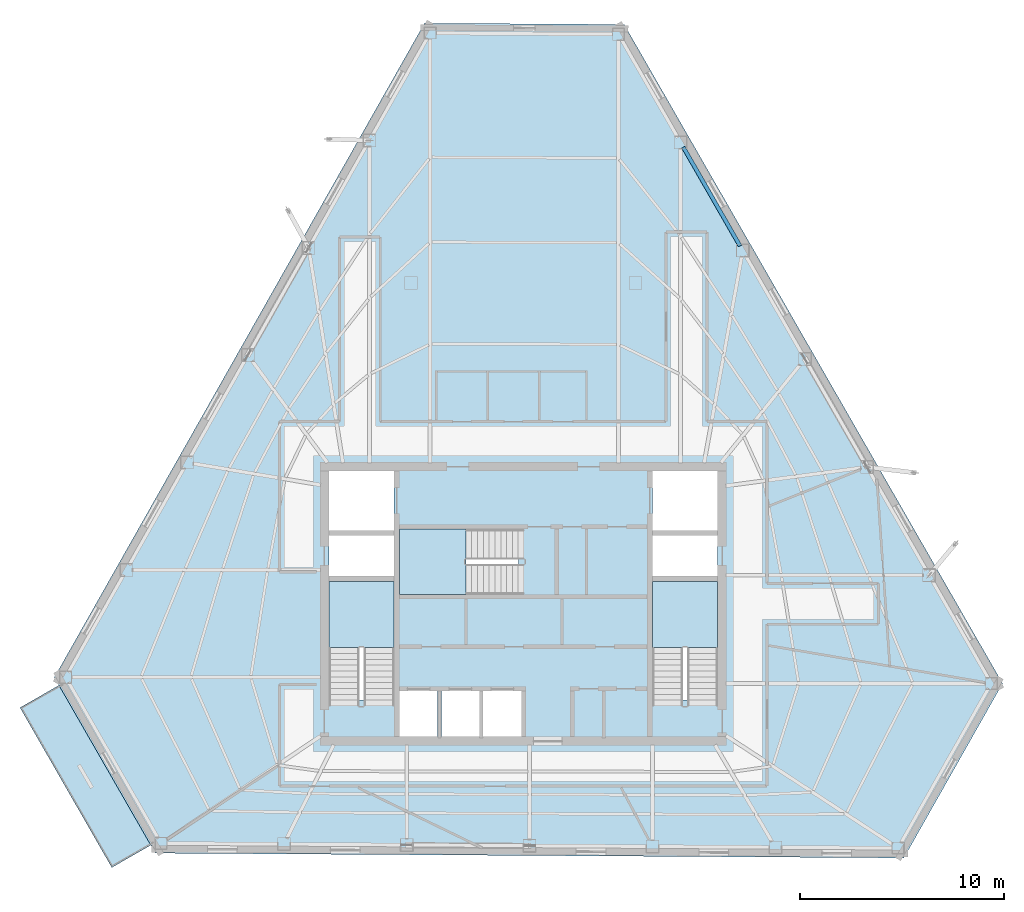
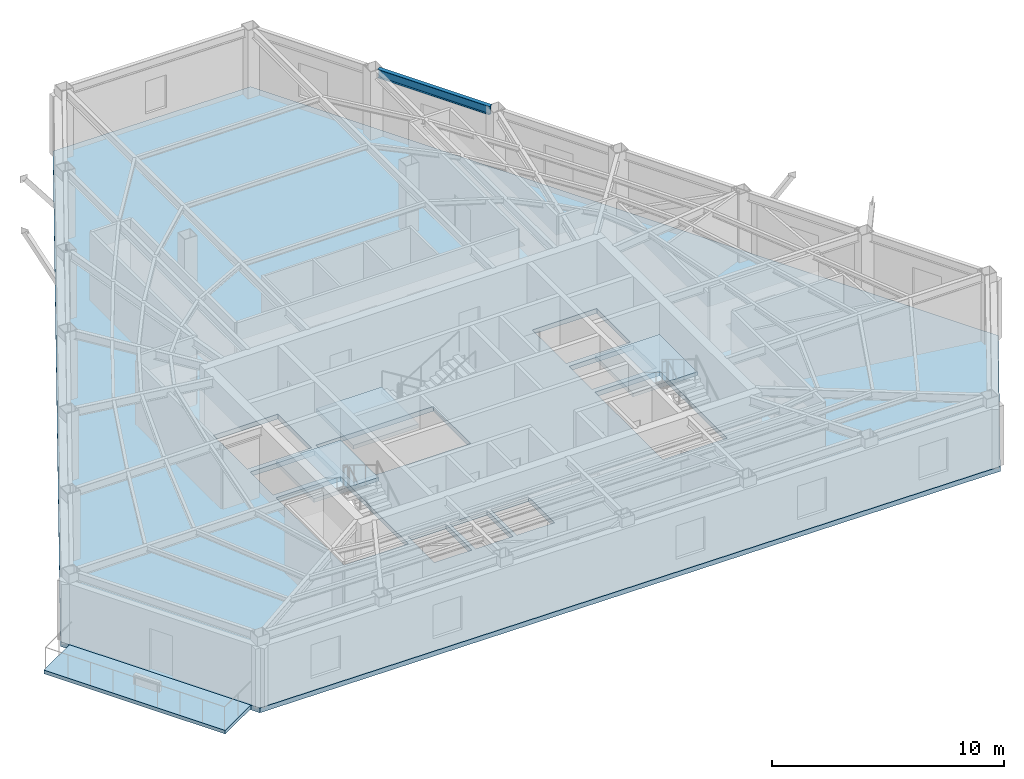
# One storey, part 3 of 11: 5 slabs, 1 beam, 3 elements without a shape of their own.
"""IFC4 building model written with IfcOpenShell, lengths in metres."""

from ifc_helpers import new_model, si_unit, direction, frame, origin, origin_2d, place, context, subcontext, project, spatial, polyline, i_section, outline, extrude, material, layer, layer_set, material_profile, profile_set, type_object, element, aggregate, save


model = new_model("IFC4")

# Units and contexts
model_context = context("Model", 3, precision=1e-05, world=origin(), true_north=direction((0.0, 1.0)))
body_context = subcontext(model_context, "Body", "Model", "MODEL_VIEW")
ifc_project = project(units=[si_unit("LENGTHUNIT", "METRE"), si_unit("AREAUNIT", "SQUARE_METRE"), si_unit("VOLUMEUNIT", "CUBIC_METRE"), si_unit("PLANEANGLEUNIT", "RADIAN"), si_unit("MASSUNIT", "GRAM", prefix="KILO")], contexts=[model_context])

# Site, building, storey
site_placement = place(None, origin())
site = spatial("IfcSite", under=ifc_project, at=site_placement, CompositionType="ELEMENT")
building_placement = place(site_placement, origin())
building = spatial("IfcBuilding", under=site, at=building_placement, Name="Kavelnor Concourse Tower", CompositionType="ELEMENT")
storey_placement = place(building_placement, frame((0.0, 0.0, 172.699951171875)))
storey = spatial("IfcBuildingStorey", under=building, at=storey_placement, Name="L43", CompositionType="ELEMENT", Elevation=172.699951171875)

# Beam
ifc_material_1 = material(Name="Steel Grade 350", Category="steel")
ifc_material_profile = material_profile(ifc_material_1, i_section(OverallWidth=0.19091796875, OverallDepth=0.4599609375, WebThickness=0.010009765625, FlangeThickness=0.01611328125, at=origin_2d()), Name="460UB82")
ifc_profile_set = profile_set([ifc_material_profile], Name="Steel Grade 350")
beam_type = type_object("IfcBeamType", Name="BM-SPANDREL-Z3", PredefinedType="SPANDREL", material=ifc_profile_set)
beam_placement = place(storey_placement, frame((48.615478515625, 33.61962890625, 3.3701171875), z_axis=(-0.498008934587, 0.867171898225, 0.0), x_axis=(-0.867171898225, -0.498008934587, 0.0)))
element("IfcBeam", 1, at=beam_placement, inside=storey, type_object=beam_type, Name="L43 Perimeter Tube Spandrel Beam F2-B4", PredefinedType="SPANDREL", context=body_context, shape_type="SweptSolid", body=[
    extrude(i_section(OverallWidth=0.19091796875, OverallDepth=0.4599609375, WebThickness=0.010009765625, FlangeThickness=0.01611328125, at=origin_2d()), origin(), (0.0, 0.0, 1.0), 5.578369140625),
])

# Stair, slab
ifc_material_2 = material(Name="Concrete C40/50", Category="concrete")
stair_type = type_object("IfcStairType", Name="STR-CORE-1500", PredefinedType="HALF_TURN_STAIR", material=ifc_material_2)
stair_1_placement = place(storey_placement, origin())
stair_1 = element("IfcStair", 2, at=stair_1_placement, inside=storey, type_object=stair_type, Name="L43 ST1", PredefinedType="HALF_TURN_STAIR")
ifc_layer_1 = layer(ifc_material_2, 0.199951171875, Name="Concrete C40/50")
ifc_layer_set_1 = layer_set([ifc_layer_1], Name="Concrete C40/50")
slab_type_1 = type_object("IfcSlabType", Name="SLB-LANDING-200", PredefinedType="LANDING", material=ifc_layer_set_1)
slab_1_placement = place(storey_placement, frame((0.0, 0.0, 1.72509765625)))
slab_1 = element("IfcSlab", 3, at=slab_1_placement, type_object=slab_type_1, Name="ST1 landing 1", PredefinedType="LANDING", context=body_context, shape_type="SweptSolid", body=[
    extrude(outline(polyline([(31.679931640625, 13.949951171875), (31.679931640625, 17.199951171875), (28.47998046875, 17.199951171875), (28.47998046875, 13.949951171875), (31.679931640625, 13.949951171875)])), origin(), (0.0, 0.0, 1.0), 0.199951171875),
])
aggregate(stair_1, [slab_1])

stair_2_placement = place(storey_placement, origin())
stair_2 = element("IfcStair", 4, at=stair_2_placement, inside=storey, type_object=stair_type, Name="L43 ST2", PredefinedType="HALF_TURN_STAIR")
slab_2_placement = place(storey_placement, frame((0.0, 0.0, 1.72509765625)))
slab_2 = element("IfcSlab", 5, at=slab_2_placement, type_object=slab_type_1, Name="ST2 landing 1", PredefinedType="LANDING", context=body_context, shape_type="SweptSolid", body=[
    extrude(outline(polyline([(47.52001953125, 13.949951171875), (47.52001953125, 17.199951171875), (44.320068359375, 17.199951171875), (44.320068359375, 13.949951171875), (47.52001953125, 13.949951171875)])), origin(), (0.0, 0.0, 1.0), 0.199951171875),
])
aggregate(stair_2, [slab_2])

stair_3_placement = place(storey_placement, origin())
stair_3 = element("IfcStair", 6, at=stair_3_placement, inside=storey, type_object=stair_type, Name="L43 ST3", PredefinedType="HALF_TURN_STAIR")
slab_3_placement = place(storey_placement, frame((0.0, 0.0, 1.72509765625)))
slab_3 = element("IfcSlab", 7, at=slab_3_placement, type_object=slab_type_1, Name="ST3 landing 1", PredefinedType="LANDING", context=body_context, shape_type="SweptSolid", body=[
    extrude(outline(polyline([(35.18994140625, 19.760009765625), (31.93994140625, 19.760009765625), (31.93994140625, 16.56005859375), (35.18994140625, 16.56005859375), (35.18994140625, 19.760009765625)])), origin(), (0.0, 0.0, 1.0), 0.199951171875),
])
aggregate(stair_3, [slab_3])

# Slabs
ifc_layer_2 = layer(ifc_material_2, 0.25, Name="Concrete C40/50")
ifc_layer_set_2 = layer_set([ifc_layer_2], Name="Concrete C40/50")
slab_type_2 = type_object("IfcSlabType", Name="SLB-OFFICE-250", PredefinedType="FLOOR", material=ifc_layer_set_2)
slab_4_placement = place(storey_placement, frame((0.0, 0.0, -0.25)))
element("IfcSlab", 8, at=slab_4_placement, inside=storey, type_object=slab_type_2, Name="L43 Composite Structural Floor Slab", PredefinedType="FLOOR", context=body_context, shape_type="SweptSolid", body=[
    extrude(outline(polyline([(42.9423828125, 44.4619140625), (33.166015625, 44.524658203125), (15.04736328125, 12.501220703125), (19.989990234375, 3.894775390625), (56.63330078125, 3.66015625), (61.467529296875, 12.2041015625), (42.9423828125, 44.4619140625)]), holes=[polyline([(28.47998046875, 11.3798828125), (31.679931640625, 11.3798828125), (31.679931640625, 17.199951171875), (28.47998046875, 17.199951171875), (28.47998046875, 11.3798828125)]), polyline([(44.320068359375, 11.3798828125), (47.52001953125, 11.3798828125), (47.52001953125, 17.199951171875), (44.320068359375, 17.199951171875), (44.320068359375, 11.3798828125)]), polyline([(31.93994140625, 16.56005859375), (37.760009765625, 16.56005859375), (37.760009765625, 19.760009765625), (31.93994140625, 19.760009765625), (31.93994140625, 16.56005859375)]), polyline([(28.47998046875, 19.699951171875), (31.679931640625, 19.699951171875), (31.679931640625, 22.60009765625), (28.47998046875, 22.60009765625), (28.47998046875, 19.699951171875)]), polyline([(44.320068359375, 19.699951171875), (47.52001953125, 19.699951171875), (47.52001953125, 22.60009765625), (44.320068359375, 22.60009765625), (44.320068359375, 19.699951171875)]), polyline([(31.93994140625, 9.60009765625), (33.81005859375, 9.60009765625), (33.81005859375, 11.840087890625), (31.93994140625, 11.840087890625), (31.93994140625, 9.60009765625)]), polyline([(33.989990234375, 9.60009765625), (35.860107421875, 9.60009765625), (35.860107421875, 11.840087890625), (33.989990234375, 11.840087890625), (33.989990234375, 9.60009765625)]), polyline([(36.0400390625, 9.60009765625), (37.909912109375, 9.60009765625), (37.909912109375, 11.840087890625), (36.0400390625, 11.840087890625), (36.0400390625, 9.60009765625)]), polyline([(28.47998046875, 17.4599609375), (31.679931640625, 17.4599609375), (31.679931640625, 19.43994140625), (28.47998046875, 19.43994140625), (28.47998046875, 17.4599609375)]), polyline([(44.320068359375, 17.4599609375), (47.52001953125, 17.4599609375), (47.52001953125, 19.43994140625), (44.320068359375, 19.43994140625), (44.320068359375, 17.4599609375)])]), origin(), (0.0, 0.0, 1.0), 0.25),
])
ifc_layer_3 = layer(ifc_material_2, 0.18994140625, Name="Concrete C40/50")
ifc_layer_set_3 = layer_set([ifc_layer_3], Name="Concrete C40/50")
slab_type_3 = type_object("IfcSlabType", Name="SLB-TERRACE-190", PredefinedType="FLOOR", material=ifc_layer_set_3)
slab_5_placement = place(storey_placement, frame((0.0, 0.0, -0.18994140625)))
element("IfcSlab", 9, at=slab_5_placement, inside=storey, type_object=slab_type_3, Name="L43 Spiralling Sky Terrace Slab", PredefinedType="FLOOR", context=body_context, shape_type="SweptSolid", body=[
    extrude(outline(polyline([(17.85791015625, 3.189208984375), (13.36376953125, 11.015380859375), (15.271484375, 12.111083984375), (19.765869140625, 4.284912109375), (17.85791015625, 3.189208984375)])), origin(), (0.0, 0.0, 1.0), 0.18994140625),
])

save(model, "model.ifc")
